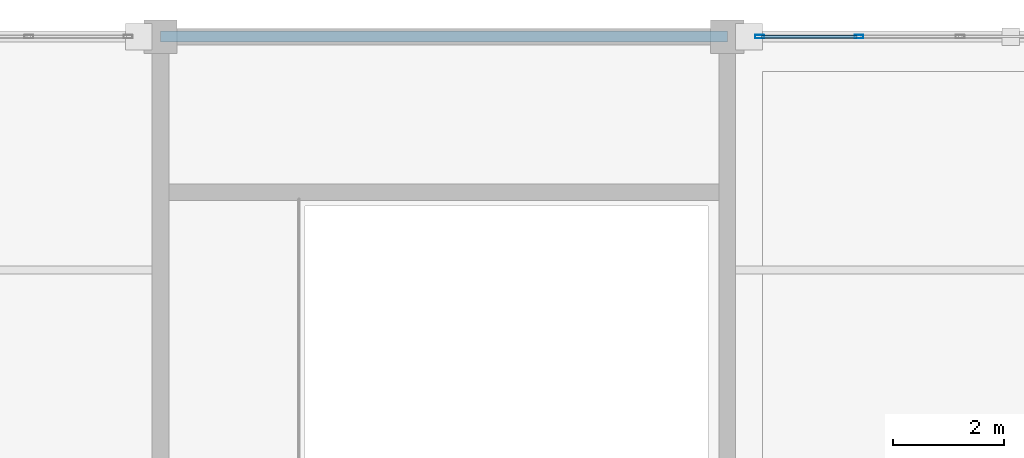
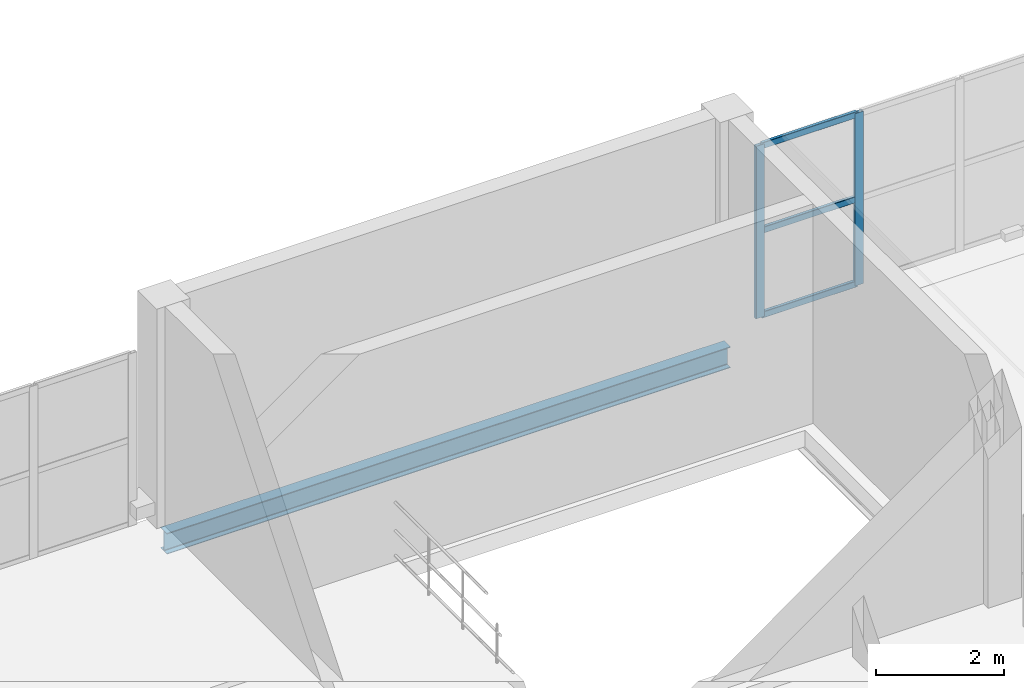
# One storey, part 7 of 12: 5 members, 1 beam, 1 element without a shape of its own.
"""IFC4 building model written with IfcOpenShell, lengths in metres."""

from ifc_helpers import new_model, si_unit, direction, frame, origin, origin_2d, place, context, subcontext, project, spatial, hollow_rectangle, i_section, extrude, material, material_profile, profile_set, type_object, element, aggregate, save


model = new_model("IFC4")

# Units and contexts
model_context = context("Model", 3, precision=1e-05, world=origin(), true_north=direction((0.0, 1.0)))
body_context = subcontext(model_context, "Body", "Model", "MODEL_VIEW")
ifc_project = project(units=[si_unit("LENGTHUNIT", "METRE"), si_unit("AREAUNIT", "SQUARE_METRE"), si_unit("VOLUMEUNIT", "CUBIC_METRE"), si_unit("PLANEANGLEUNIT", "RADIAN"), si_unit("MASSUNIT", "GRAM", prefix="KILO")], contexts=[model_context])

# Site, building, storey
site_placement = place(None, origin())
site = spatial("IfcSite", under=ifc_project, at=site_placement, CompositionType="ELEMENT")
building_placement = place(site_placement, origin())
building = spatial("IfcBuilding", under=site, at=building_placement, Name="Brelvane Convention Centre", CompositionType="ELEMENT")
storey_placement = place(building_placement, frame((0.0, 0.0, 23.39990234375)))
storey = spatial("IfcBuildingStorey", under=building, at=storey_placement, Name="L05", CompositionType="ELEMENT", Elevation=23.39990234375)

# Curtain wall, members
ifc_material_1 = material(Name="Anodised Aluminium Alloy 6063-T6", Category="aluminium")
curtain_wall_type = type_object("IfcCurtainWallType", Name="Curtain Wall CW-BOUL", PredefinedType="USERDEFINED", material=ifc_material_1)
curtain_wall_placement = place(storey_placement, origin())
curtain_wall = element("IfcCurtainWall", 1, at=curtain_wall_placement, inside=storey, type_object=curtain_wall_type, Name="Curtain Wall CW-BOUL L05-V4N-04", ObjectType="UNITISED", PredefinedType="USERDEFINED")
ifc_material_2 = material(Name="Anodised Aluminium Alloy 6063-T6", Category="aluminium")
ifc_material_profile_1 = material_profile(ifc_material_2, hollow_rectangle(XDim=0.06494140625, YDim=0.159912109375, WallThickness=0.00390625, InnerFilletRadius=0.00390625, OuterFilletRadius=0.008056640625, at=origin_2d()), Name="ALU-M 160x65x4.0")
ifc_profile_set_1 = profile_set([ifc_material_profile_1], Name="Anodised Aluminium Alloy 6063-T6")
member_type_1 = type_object("IfcMemberType", Name="Curtain Mullion CW-M3", PredefinedType="MULLION", material=ifc_profile_set_1)
member_1_placement = place(storey_placement, frame((31.1826171875, 144.0, 0.0), z_axis=(0.0, 0.0, 1.0), x_axis=(0.0, 1.0, 0.0)))
member_1 = element("IfcMember", 2, at=member_1_placement, type_object=member_type_1, Name="CW-BOUL mullion 1", PredefinedType="MULLION", context=body_context, shape_type="SweptSolid", body=[
    extrude(hollow_rectangle(XDim=0.06494140625, YDim=0.159912109375, WallThickness=0.00390625, InnerFilletRadius=0.00390625, OuterFilletRadius=0.008056640625, at=origin_2d()), origin(), (0.0, 0.0, 1.0), 3.300048828125),
])
member_2_placement = place(storey_placement, frame((32.969970703125, 144.0, 0.0), z_axis=(0.0, 0.0, 1.0), x_axis=(0.0, 1.0, 0.0)))
member_2 = element("IfcMember", 3, at=member_2_placement, type_object=member_type_1, Name="CW-BOUL mullion 2", PredefinedType="MULLION", context=body_context, shape_type="SweptSolid", body=[
    extrude(hollow_rectangle(XDim=0.06494140625, YDim=0.159912109375, WallThickness=0.00390625, InnerFilletRadius=0.00390625, OuterFilletRadius=0.008056640625, at=origin_2d()), origin(), (0.0, 0.0, 1.0), 3.300048828125),
])
ifc_material_3 = material(Name="Anodised Aluminium Alloy 6063-T6", Category="aluminium")
ifc_material_profile_2 = material_profile(ifc_material_3, hollow_rectangle(XDim=0.06005859375, YDim=0.1201171875, WallThickness=0.00390625, InnerFilletRadius=0.00390625, OuterFilletRadius=0.008056640625, at=origin_2d()), Name="ALU-T 120x60x4.0")
ifc_profile_set_2 = profile_set([ifc_material_profile_2], Name="Anodised Aluminium Alloy 6063-T6")
member_type_2 = type_object("IfcMemberType", Name="Curtain Transom CW-T3", PredefinedType="USERDEFINED", material=ifc_profile_set_2)
member_3_placement = place(storey_placement, frame((31.215087890625, 144.0, 0.030029296875), z_axis=(1.0, 0.0, 0.0), x_axis=(0.0, 1.0, 0.0)))
member_3 = element("IfcMember", 4, at=member_3_placement, type_object=member_type_2, Name="CW-BOUL transom 1.1", ObjectType="TRANSOM", PredefinedType="USERDEFINED", context=body_context, shape_type="SweptSolid", body=[
    extrude(hollow_rectangle(XDim=0.06005859375, YDim=0.1201171875, WallThickness=0.00390625, InnerFilletRadius=0.00390625, OuterFilletRadius=0.008056640625, at=origin_2d()), origin(), (0.0, 0.0, 1.0), 1.722412109375),
])
member_4_placement = place(storey_placement, frame((31.215087890625, 144.0, 1.650146484375), z_axis=(1.0, 0.0, 0.0), x_axis=(0.0, 1.0, 0.0)))
member_4 = element("IfcMember", 5, at=member_4_placement, type_object=member_type_2, Name="CW-BOUL transom 1.2", ObjectType="TRANSOM", PredefinedType="USERDEFINED", context=body_context, shape_type="SweptSolid", body=[
    extrude(hollow_rectangle(XDim=0.06005859375, YDim=0.1201171875, WallThickness=0.00390625, InnerFilletRadius=0.00390625, OuterFilletRadius=0.008056640625, at=origin_2d()), origin(), (0.0, 0.0, 1.0), 1.722412109375),
])
member_5_placement = place(storey_placement, frame((31.215087890625, 144.0, 3.27001953125), z_axis=(1.0, 0.0, 0.0), x_axis=(0.0, 1.0, 0.0)))
member_5 = element("IfcMember", 6, at=member_5_placement, type_object=member_type_2, Name="CW-BOUL transom 1.3", ObjectType="TRANSOM", PredefinedType="USERDEFINED", context=body_context, shape_type="SweptSolid", body=[
    extrude(hollow_rectangle(XDim=0.06005859375, YDim=0.1201171875, WallThickness=0.00390625, InnerFilletRadius=0.00390625, OuterFilletRadius=0.008056640625, at=origin_2d()), origin(), (0.0, 0.0, 1.0), 1.722412109375),
])
aggregate(curtain_wall, [member_1, member_2, member_3, member_4, member_5])

# Beam
ifc_material_4 = material(Name="Steel E350 (350 MPa)", Category="steel")
ifc_material_profile_3 = material_profile(ifc_material_4, i_section(OverallWidth=0.199951171875, OverallDepth=0.39990234375, WebThickness=0.008544921875, FlangeThickness=0.012939453125, FilletRadius=0.013916015625, at=origin_2d()), Name="ISWB 400")
ifc_profile_set_3 = profile_set([ifc_material_profile_3], Name="Steel E350 (350 MPa)")
beam_type = type_object("IfcBeamType", Name="Steel Spandrel SP-ST2 (ISWB 400)", PredefinedType="SPANDREL", material=ifc_profile_set_3)
beam_placement = place(storey_placement, frame((20.39990234375, 144.0, -0.514892578125), z_axis=(1.0, 0.0, 0.0), x_axis=(0.0, 1.0, 0.0)))
element("IfcBeam", 7, at=beam_placement, inside=storey, type_object=beam_type, Name="L05 Beam 3-4/Q", PredefinedType="SPANDREL", context=body_context, shape_type="SweptSolid", body=[
    extrude(i_section(OverallWidth=0.199951171875, OverallDepth=0.39990234375, WebThickness=0.008544921875, FlangeThickness=0.012939453125, FilletRadius=0.013916015625, at=origin_2d()), origin(), (0.0, 0.0, 1.0), 10.2001953125),
])

save(model, "model.ifc")
